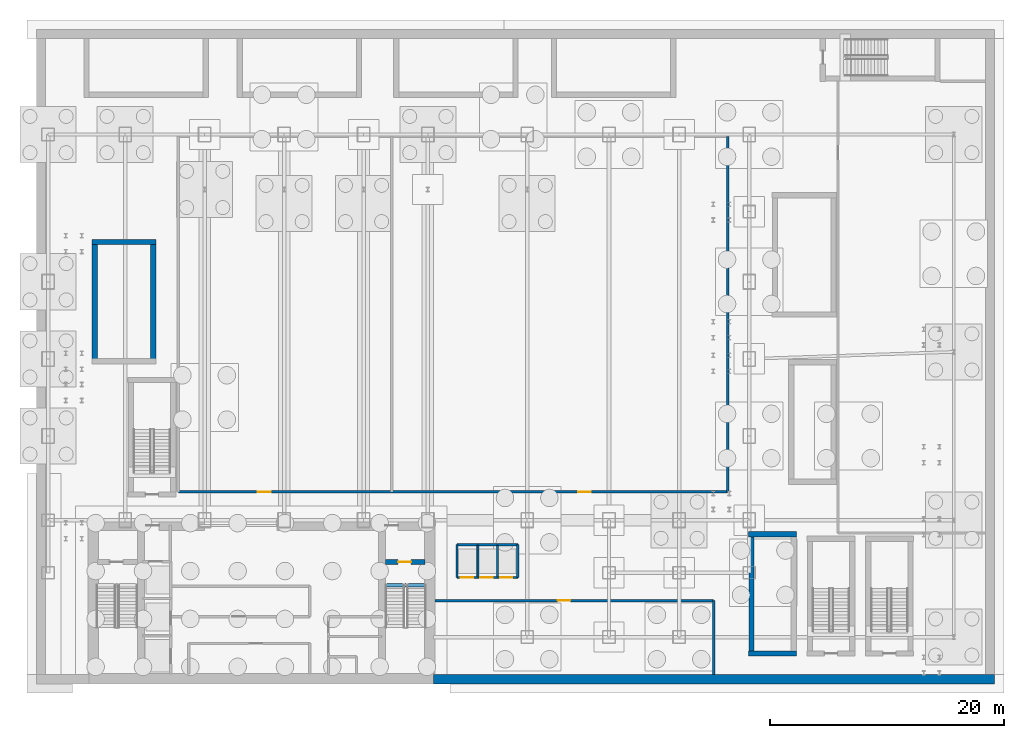
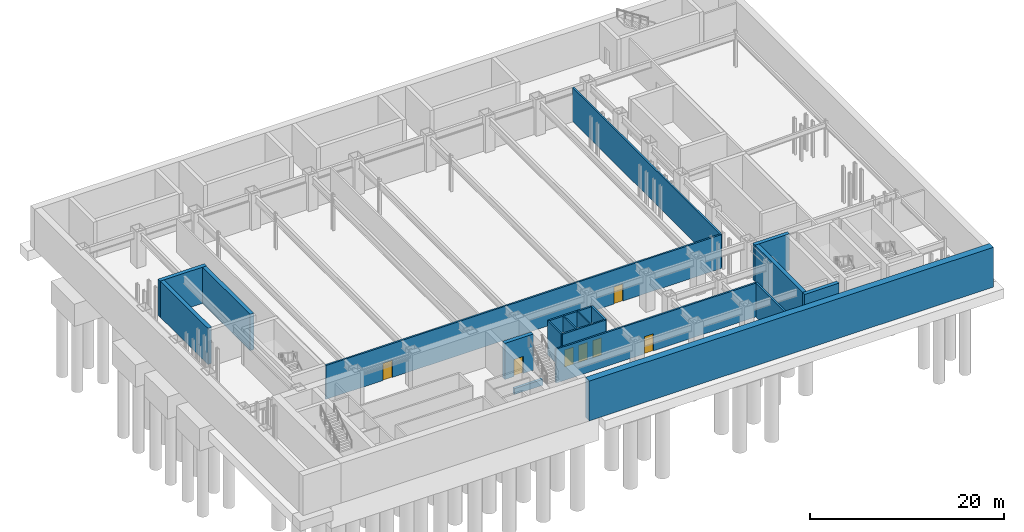
# One storey, part 11 of 17: 19 walls, 7 doors, 7 openings.
"""IFC4 building model written with IfcOpenShell, lengths in metres."""

from ifc_helpers import new_model, si_unit, derived_unit, direction, frame, frame_2d, origin, place, context, subcontext, project, spatial, rectangle, extrude, source, transform, mapped, material, layer, layer_set, type_object, element, fill, save


model = new_model("IFC4")

# Units and contexts
model_context = context("Model", 3, precision=1e-05, world=origin(), true_north=direction((0.0, 1.0)))
body_context = subcontext(model_context, "Body", "Model", "MODEL_VIEW")
ifc_project = project(units=[si_unit("LENGTHUNIT", "METRE"), si_unit("AREAUNIT", "SQUARE_METRE"), si_unit("VOLUMEUNIT", "CUBIC_METRE"), si_unit("PLANEANGLEUNIT", "RADIAN"), si_unit("MASSUNIT", "GRAM", prefix="KILO"), derived_unit("THERMALTRANSMITTANCEUNIT", [(si_unit("POWERUNIT", "WATT"), 1), (si_unit("LENGTHUNIT", "METRE"), -2), (si_unit("THERMODYNAMICTEMPERATUREUNIT", "KELVIN"), -1)])], contexts=[model_context])

# Site, building, storey
site_placement = place(None, origin())
site = spatial("IfcSite", under=ifc_project, at=site_placement, CompositionType="ELEMENT")
building_placement = place(site_placement, origin())
building = spatial("IfcBuilding", under=site, at=building_placement, Name="Skarnbrae Concourse Arena and Tower", CompositionType="ELEMENT")
storey_placement = place(building_placement, frame((0.0, 0.0, -10.0)))
storey = spatial("IfcBuildingStorey", under=building, at=storey_placement, Name="B02", CompositionType="ELEMENT", Elevation=-10.0)

# Wall
ifc_material_1 = material(Name="Concrete 50 MPa (C50/60)", Category="concrete")
ifc_layer_1 = layer(ifc_material_1, 0.800048828125)
ifc_layer_set_1 = layer_set([ifc_layer_1], Name="Concrete 50 MPa (C50/60)")
wall_type_1 = type_object("IfcWallType", Name="WALL-RETAINING-800", PredefinedType="USERDEFINED", material=ifc_layer_set_1)
shared_shape_1 = source(origin(), body_context, "Body", "SweptSolid", [
    extrude(rectangle(XDim=48.0, YDim=0.800048828125, at=frame_2d((24.0, 0.0))), origin(), (0.0, 0.0, 1.0), 5.0),
])
wall_1_placement = place(storey_placement, frame((34.0, 0.39990234375, 0.0), z_axis=(0.0, 0.0, 1.0), x_axis=(1.0, 0.0, 0.0)))
element("IfcWall", 1, at=wall_1_placement, inside=storey, type_object=wall_type_1, Name="B02 Basement retaining wall RW-SE", ObjectType="RETAINING WALL", PredefinedType="USERDEFINED", context=body_context, shape_type="MappedRepresentation", body=[
    mapped(shared_shape_1, transform((0.0, 0.0, 0.0))),
])

# Wall, opening, door
ifc_layer_2 = layer(ifc_material_1, 0.449951171875)
ifc_layer_set_2 = layer_set([ifc_layer_2], Name="Concrete 50 MPa (C50/60)")
wall_type_2 = type_object("IfcWallType", Name="WALL-CORE-450-C50", PredefinedType="SHEAR", material=ifc_layer_set_2)
shared_shape_2 = source(origin(), body_context, "Body", "SweptSolid", [
    extrude(rectangle(XDim=3.389892578125, YDim=0.449951171875, at=frame_2d((1.69482421875, 0.0))), origin(), (0.0, 0.0, 1.0), 4.550048828125),
])
wall_2_placement = place(storey_placement, frame((29.860107421875, 10.419921875, 0.449951171875), z_axis=(0.0, 0.0, 1.0), x_axis=(1.0, 0.0, 0.0)))
wall_2 = element("IfcWall", 2, at=wall_2_placement, inside=storey, type_object=wall_type_2, Name="B02 Rear core shear wall CW-ST2-N", PredefinedType="SHEAR", context=body_context, shape_type="MappedRepresentation", body=[
    mapped(shared_shape_2, transform((0.0, 0.0, 0.0))),
])
opening_1_placement = place(wall_2_placement, frame((1.10009765625, 0.0, 0.0)))
opening_1 = element("IfcOpeningElement", 3, at=opening_1_placement, cuts=wall_2, Name="Opening DT-03", PredefinedType="OPENING", context=body_context, shape_type="SweptSolid", body=[
    extrude(rectangle(XDim=1.10009765625, YDim=2.14990234375, at=frame_2d((0.550048828125, 1.074951171875))), frame((0.0, 0.23486328125, 0.0), z_axis=(0.0, -1.0, 0.0), x_axis=(1.0, 0.0, 0.0)), (0.0, 0.0, 1.0), 0.469970703125),
])
ifc_material_2 = material(Name="Steel CSA G40.21 350W", Category="steel")
door_type_1 = type_object("IfcDoorType", Name="DOOR-FIRE-1100-90M", OperationType="NOTDEFINED", PredefinedType="DOOR", material=ifc_material_2)
shared_shape_3 = source(origin(), body_context, "Body", "SweptSolid", [
    extrude(rectangle(XDim=1.10009765625, YDim=2.14990234375, at=frame_2d((0.550048828125, 1.074951171875))), frame((0.0, 0.02490234375, 0.0), z_axis=(0.0, -1.0, 0.0), x_axis=(1.0, 0.0, 0.0)), (0.0, 0.0, 1.0), 0.050048828125),
])
door_1_placement = place(opening_1_placement, frame((1.10009765625, 0.0, 0.0), z_axis=(0.0, 0.0, 1.0), x_axis=(-1.0, 0.0, 0.0)))
door_1 = element("IfcDoor", 4, at=door_1_placement, inside=storey, type_object=door_type_1, Name="D-0102 Stair ST-2 Door", OperationType="SINGLE_SWING_RIGHT", OverallHeight=2.14990234375, OverallWidth=1.10009765625, PredefinedType="DOOR", context=body_context, shape_type="MappedRepresentation", body=[
    mapped(shared_shape_3, transform((0.0, 0.0, 0.0))),
])
fill(opening_1, door_1)

# Walls
shared_shape_4 = source(origin(), body_context, "Body", "SweptSolid", [
    extrude(rectangle(XDim=3.400146484375, YDim=0.300048828125, at=frame_2d((1.7001953125, 0.0))), origin(), (0.0, 0.0, 1.0), 0.75),
])
wall_3_placement = place(storey_placement, frame((29.89990234375, 8.449951171875, -0.300048828125), z_axis=(0.0, 0.0, 1.0), x_axis=(1.0, 0.0, 0.0)))
element("IfcWall", 5, at=wall_3_placement, inside=storey, type_object=wall_type_2, Name="B02 Core stair ST-2 foundation sleeper step", PredefinedType="SHEAR", context=body_context, shape_type="MappedRepresentation", body=[
    mapped(shared_shape_4, transform((0.0, 0.0, 0.0))),
])
shared_shape_5 = source(origin(), body_context, "Body", "SweptSolid", [
    extrude(rectangle(XDim=4.10009765625, YDim=0.449951171875, at=frame_2d((2.050048828125, 0.0))), origin(), (0.0, 0.0, 1.0), 4.550048828125),
])
for number, where, z_axis, x_axis, name in (
    (6, (60.949951171875, 2.594970703125, 0.449951171875), (0.0, 0.0, 1.0), (1.0, 0.0, 0.0), "B02 Protected stair shaft wall ST-A1-S"),
    (7, (60.949951171875, 12.804931640625, 0.449951171875), (0.0, 0.0, 1.0), (1.0, 0.0, 0.0), "B02 Protected stair shaft wall ST-A1-N"),
):
    element("IfcWall", number, at=place(storey_placement, frame(where, z_axis=z_axis, x_axis=x_axis)), inside=storey, type_object=wall_type_2, Name=name, PredefinedType="SHEAR", context=body_context, shape_type="MappedRepresentation", body=[
        mapped(shared_shape_5, transform((0.0, 0.0, 0.0))),
    ])
shared_shape_6 = source(origin(), body_context, "Body", "SweptSolid", [
    extrude(rectangle(XDim=9.800048828125, YDim=0.449951171875, at=frame_2d((4.89990234375, 0.0))), origin(), (0.0, 0.0, 1.0), 4.550048828125),
])
for number, where, z_axis, x_axis, name in (
    (8, (61.195068359375, 2.800048828125, 0.449951171875), (0.0, 0.0, 1.0), (0.0, 1.0, 0.0), "B02 Protected stair shaft wall ST-A1-W"),
    (9, (4.9951171875, 27.800048828125, 0.449951171875), (0.0, 0.0, 1.0), (0.0, 1.0, 0.0), "B02 Protected stair shaft wall ST-A3-W"),
    (10, (10.0048828125, 27.800048828125, 0.449951171875), (0.0, 0.0, 1.0), (0.0, 1.0, 0.0), "B02 Protected stair shaft wall ST-A3-E"),
):
    element("IfcWall", number, at=place(storey_placement, frame(where, z_axis=z_axis, x_axis=x_axis)), inside=storey, type_object=wall_type_2, Name=name, PredefinedType="SHEAR", context=body_context, shape_type="MappedRepresentation", body=[
        mapped(shared_shape_6, transform((0.0, 0.0, 0.0))),
    ])
shared_shape_7 = source(origin(), body_context, "Body", "SweptSolid", [
    extrude(rectangle(XDim=5.5, YDim=0.449951171875, at=frame_2d((2.75, 0.0))), origin(), (0.0, 0.0, 1.0), 4.550048828125),
])
wall_4_placement = place(storey_placement, frame((4.75, 37.804931640625, 0.449951171875), z_axis=(0.0, 0.0, 1.0), x_axis=(1.0, 0.0, 0.0)))
element("IfcWall", 11, at=wall_4_placement, inside=storey, type_object=wall_type_2, Name="B02 Protected stair shaft wall ST-A3-N", PredefinedType="SHEAR", context=body_context, shape_type="MappedRepresentation", body=[
    mapped(shared_shape_7, transform((0.0, 0.0, 0.0))),
])

# Wall, openings, doors
ifc_material_3 = material(Name="Gypsum board on cold-formed steel studs", Category="steel")
ifc_layer_3 = layer(ifc_material_3, 0.199951171875)
ifc_layer_set_3 = layer_set([ifc_layer_3], Name="Gypsum board on cold-formed steel studs")
wall_type_3 = type_object("IfcWallType", Name="WALL-PART-200-2HR", PredefinedType="PARTITIONING", material=ifc_layer_set_3)
shared_shape_8 = source(origin(), body_context, "Body", "SweptSolid", [
    extrude(rectangle(XDim=5.199951171875, YDim=0.199951171875, at=frame_2d((2.60009765625, 0.0))), origin(), (0.0, 0.0, 1.0), 4.25),
])
wall_5_placement = place(storey_placement, frame((36.0, 9.10009765625, 0.449951171875), z_axis=(0.0, 0.0, 1.0), x_axis=(1.0, 0.0, 0.0)))
wall_5 = element("IfcWall", 12, at=wall_5_placement, inside=storey, type_object=wall_type_3, Name="B02 Interior partition wall W-B02-PLP-S", PredefinedType="PARTITIONING", context=body_context, shape_type="MappedRepresentation", body=[
    mapped(shared_shape_8, transform((0.0, 0.0, 0.0))),
])
opening_2_placement = place(wall_5_placement, frame((0.320068359375, 0.0, 0.0)))
opening_2 = element("IfcOpeningElement", 13, at=opening_2_placement, cuts=wall_5, Name="Opening LD-03", PredefinedType="OPENING", context=body_context, shape_type="SweptSolid", body=[
    extrude(rectangle(XDim=1.050048828125, YDim=2.14990234375, at=frame_2d((0.52490234375, 1.074951171875))), frame((0.0, 0.10986328125, 0.0), z_axis=(0.0, -1.0, 0.0), x_axis=(1.0, 0.0, 0.0)), (0.0, 0.0, 1.0), 0.219970703125),
])
opening_3_placement = place(wall_5_placement, frame((2.0, 0.0, 0.0)))
opening_3 = element("IfcOpeningElement", 14, at=opening_3_placement, cuts=wall_5, Name="Opening LD-03", PredefinedType="OPENING", context=body_context, shape_type="SweptSolid", body=[
    extrude(rectangle(XDim=1.050048828125, YDim=2.14990234375, at=frame_2d((0.52490234375, 1.074951171875))), frame((0.0, 0.10986328125, 0.0), z_axis=(0.0, -1.0, 0.0), x_axis=(1.0, 0.0, 0.0)), (0.0, 0.0, 1.0), 0.219970703125),
])
opening_4_placement = place(wall_5_placement, frame((3.679931640625, 0.0, 0.0)))
opening_4 = element("IfcOpeningElement", 15, at=opening_4_placement, cuts=wall_5, Name="Opening LD-03", PredefinedType="OPENING", context=body_context, shape_type="SweptSolid", body=[
    extrude(rectangle(XDim=1.050048828125, YDim=2.14990234375, at=frame_2d((0.52490234375, 1.074951171875))), frame((0.0, 0.10986328125, 0.0), z_axis=(0.0, -1.0, 0.0), x_axis=(1.0, 0.0, 0.0)), (0.0, 0.0, 1.0), 0.219970703125),
])
ifc_material_4 = material(Name="Bronze anodised aluminium 6063-T6", Category="aluminium")
door_type_2 = type_object("IfcDoorType", Name="DOOR-LIFT-SLIDE-1050", OperationType="SLIDING_TO_LEFT", PredefinedType="DOOR", material=ifc_material_4)
shared_shape_9 = source(origin(), body_context, "Body", "SweptSolid", [
    extrude(rectangle(XDim=1.050048828125, YDim=2.14990234375, at=frame_2d((0.52490234375, 1.074951171875))), frame((0.0, 0.02490234375, 0.0), z_axis=(0.0, -1.0, 0.0), x_axis=(1.0, 0.0, 0.0)), (0.0, 0.0, 1.0), 0.050048828125),
])
door_2_placement = place(opening_2_placement, frame((1.050048828125, 0.0, 0.0), z_axis=(0.0, 0.0, 1.0), x_axis=(-1.0, 0.0, 0.0)))
door_2 = element("IfcDoor", 16, at=door_2_placement, inside=storey, type_object=door_type_2, Name="D-0112 Transit Lift Landing Door PL-P1", OperationType="SLIDING_TO_LEFT", OverallHeight=2.14990234375, OverallWidth=1.050048828125, PredefinedType="DOOR", context=body_context, shape_type="MappedRepresentation", body=[
    mapped(shared_shape_9, transform((0.0, 0.0, 0.0))),
])
fill(opening_2, door_2)
door_3_placement = place(opening_3_placement, frame((1.050048828125, 0.0, 0.0), z_axis=(0.0, 0.0, 1.0), x_axis=(-1.0, 0.0, 0.0)))
door_3 = element("IfcDoor", 17, at=door_3_placement, inside=storey, type_object=door_type_2, Name="D-0113 Transit Lift Landing Door PL-P2", OperationType="SLIDING_TO_LEFT", OverallHeight=2.14990234375, OverallWidth=1.050048828125, PredefinedType="DOOR", context=body_context, shape_type="MappedRepresentation", body=[
    mapped(shared_shape_9, transform((0.0, 0.0, 0.0))),
])
fill(opening_3, door_3)
door_4_placement = place(opening_4_placement, frame((1.050048828125, 0.0, 0.0), z_axis=(0.0, 0.0, 1.0), x_axis=(-1.0, 0.0, 0.0)))
door_4 = element("IfcDoor", 18, at=door_4_placement, inside=storey, type_object=door_type_2, Name="D-0114 Transit Lift Landing Door PL-P3", OperationType="SLIDING_TO_LEFT", OverallHeight=2.14990234375, OverallWidth=1.050048828125, PredefinedType="DOOR", context=body_context, shape_type="MappedRepresentation", body=[
    mapped(shared_shape_9, transform((0.0, 0.0, 0.0))),
])
fill(opening_4, door_4)

# Walls
wall_6_placement = place(storey_placement, frame((36.0, 11.89990234375, 0.449951171875), z_axis=(0.0, 0.0, 1.0), x_axis=(1.0, 0.0, 0.0)))
element("IfcWall", 19, at=wall_6_placement, inside=storey, type_object=wall_type_3, Name="B02 Interior partition wall W-B02-PLP-N", PredefinedType="PARTITIONING", context=body_context, shape_type="MappedRepresentation", body=[
    mapped(shared_shape_8, transform((0.0, 0.0, 0.0))),
])
shared_shape_10 = source(origin(), body_context, "Body", "SweptSolid", [
    extrude(rectangle(XDim=2.7998046875, YDim=0.199951171875, at=frame_2d((1.39990234375, 0.0))), origin(), (0.0, 0.0, 1.0), 4.25),
])
for number, where, z_axis, x_axis, name in (
    (20, (36.0, 9.10009765625, 0.449951171875), (0.0, 0.0, 1.0), (0.0, 1.0, 0.0), "B02 Interior partition wall W-B02-PLP-W"),
    (21, (41.199951171875, 9.10009765625, 0.449951171875), (0.0, 0.0, 1.0), (0.0, 1.0, 0.0), "B02 Interior partition wall W-B02-PLP-E"),
):
    element("IfcWall", number, at=place(storey_placement, frame(where, z_axis=z_axis, x_axis=x_axis)), inside=storey, type_object=wall_type_3, Name=name, PredefinedType="PARTITIONING", context=body_context, shape_type="MappedRepresentation", body=[
        mapped(shared_shape_10, transform((0.0, 0.0, 0.0))),
    ])
ifc_layer_4 = layer(ifc_material_3, 0.14990234375)
ifc_layer_set_4 = layer_set([ifc_layer_4], Name="Gypsum board on cold-formed steel studs")
wall_type_4 = type_object("IfcWallType", Name="WALL-PART-150", PredefinedType="PARTITIONING", material=ifc_layer_set_4)
shared_shape_11 = source(origin(), body_context, "Body", "SweptSolid", [
    extrude(rectangle(XDim=2.7001953125, YDim=0.14990234375, at=frame_2d((1.35009765625, 0.0))), origin(), (0.0, 0.0, 1.0), 4.25),
])
for number, where, z_axis, x_axis, name in (
    (22, (37.780029296875, 9.14990234375, 0.449951171875), (0.0, 0.0, 1.0), (0.0, 1.0, 0.0), "B02 Interior partition wall W-B02-PLP-D1"),
    (23, (39.4599609375, 9.14990234375, 0.449951171875), (0.0, 0.0, 1.0), (0.0, 1.0, 0.0), "B02 Interior partition wall W-B02-PLP-D2"),
):
    element("IfcWall", number, at=place(storey_placement, frame(where, z_axis=z_axis, x_axis=x_axis)), inside=storey, type_object=wall_type_4, Name=name, PredefinedType="PARTITIONING", context=body_context, shape_type="MappedRepresentation", body=[
        mapped(shared_shape_11, transform((0.0, 0.0, 0.0))),
    ])

# Wall, openings, doors
shared_shape_12 = source(origin(), body_context, "Body", "SweptSolid", [
    extrude(rectangle(XDim=47.0, YDim=0.199951171875, at=frame_2d((23.5, 0.0))), origin(), (0.0, 0.0, 1.0), 4.25),
])
wall_7_placement = place(storey_placement, frame((12.14990234375, 16.419921875, 0.449951171875), z_axis=(0.0, 0.0, 1.0), x_axis=(1.0, 0.0, 0.0)))
wall_7 = element("IfcWall", 24, at=wall_7_placement, inside=storey, type_object=wall_type_3, Name="B02 Interior partition wall W-B02-BC-N", PredefinedType="PARTITIONING", context=body_context, shape_type="MappedRepresentation", body=[
    mapped(shared_shape_12, transform((0.0, 0.0, 0.0))),
])
opening_5_placement = place(wall_7_placement, frame((6.800048828125, 0.0, 0.0)))
opening_5 = element("IfcOpeningElement", 25, at=opening_5_placement, cuts=wall_7, Name="Opening DT-03", PredefinedType="OPENING", context=body_context, shape_type="SweptSolid", body=[
    extrude(rectangle(XDim=1.10009765625, YDim=2.14990234375, at=frame_2d((0.550048828125, 1.074951171875))), frame((0.0, 0.10986328125, 0.0), z_axis=(0.0, -1.0, 0.0), x_axis=(1.0, 0.0, 0.0)), (0.0, 0.0, 1.0), 0.219970703125),
])
opening_6_placement = place(wall_7_placement, frame((34.199951171875, 0.0, 0.0)))
opening_6 = element("IfcOpeningElement", 26, at=opening_6_placement, cuts=wall_7, Name="Opening DT-03", PredefinedType="OPENING", context=body_context, shape_type="SweptSolid", body=[
    extrude(rectangle(XDim=1.10009765625, YDim=2.14990234375, at=frame_2d((0.550048828125, 1.074951171875))), frame((0.0, 0.10986328125, 0.0), z_axis=(0.0, -1.0, 0.0), x_axis=(1.0, 0.0, 0.0)), (0.0, 0.0, 1.0), 0.219970703125),
])
door_5_placement = place(opening_5_placement, origin())
door_5 = element("IfcDoor", 27, at=door_5_placement, inside=storey, type_object=door_type_1, Name="D-0115 Basement Plant Door", OperationType="SINGLE_SWING_LEFT", OverallHeight=2.14990234375, OverallWidth=1.10009765625, PredefinedType="DOOR", context=body_context, shape_type="MappedRepresentation", body=[
    mapped(shared_shape_3, transform((0.0, 0.0, 0.0))),
])
fill(opening_5, door_5)
door_6_placement = place(opening_6_placement, origin())
door_6 = element("IfcDoor", 28, at=door_6_placement, inside=storey, type_object=door_type_1, Name="D-0116 Marshalling Hall Door", OperationType="SINGLE_SWING_RIGHT", OverallHeight=2.14990234375, OverallWidth=1.10009765625, PredefinedType="DOOR", context=body_context, shape_type="MappedRepresentation", body=[
    mapped(shared_shape_3, transform((0.0, 0.0, 0.0))),
])
fill(opening_6, door_6)

# Wall
shared_shape_13 = source(origin(), body_context, "Body", "SweptSolid", [
    extrude(rectangle(XDim=30.43017578125, YDim=0.199951171875, at=frame_2d((15.215087890625, 0.0))), origin(), (0.0, 0.0, 1.0), 4.25),
])
wall_8_placement = place(storey_placement, frame((59.14990234375, 16.419921875, 0.449951171875), z_axis=(0.0, 0.0, 1.0), x_axis=(0.0, 1.0, 0.0)))
element("IfcWall", 29, at=wall_8_placement, inside=storey, type_object=wall_type_3, Name="B02 Interior partition wall W-B02-BC-E", PredefinedType="PARTITIONING", context=body_context, shape_type="MappedRepresentation", body=[
    mapped(shared_shape_13, transform((0.0, 0.0, 0.0))),
])

# Wall, opening, door
shared_shape_14 = source(origin(), body_context, "Body", "SweptSolid", [
    extrude(rectangle(XDim=23.849853515625, YDim=0.199951171875, at=frame_2d((11.9248046875, 0.0))), origin(), (0.0, 0.0, 1.0), 4.25),
])
wall_9_placement = place(storey_placement, frame((34.10009765625, 7.1201171875, 0.449951171875), z_axis=(0.0, 0.0, 1.0), x_axis=(1.0, 0.0, 0.0)))
wall_9 = element("IfcWall", 30, at=wall_9_placement, inside=storey, type_object=wall_type_3, Name="B02 Interior partition wall W-B02-BBOH-N", PredefinedType="PARTITIONING", context=body_context, shape_type="MappedRepresentation", body=[
    mapped(shared_shape_14, transform((0.0, 0.0, 0.0))),
])
opening_7_placement = place(wall_9_placement, frame((10.5, 0.0, 0.0)))
opening_7 = element("IfcOpeningElement", 31, at=opening_7_placement, cuts=wall_9, Name="Opening DT-03", PredefinedType="OPENING", context=body_context, shape_type="SweptSolid", body=[
    extrude(rectangle(XDim=1.10009765625, YDim=2.14990234375, at=frame_2d((0.550048828125, 1.074951171875))), frame((0.0, 0.10986328125, 0.0), z_axis=(0.0, -1.0, 0.0), x_axis=(1.0, 0.0, 0.0)), (0.0, 0.0, 1.0), 0.219970703125),
])
door_7_placement = place(opening_7_placement, frame((1.10009765625, 0.0, 0.0), z_axis=(0.0, 0.0, 1.0), x_axis=(-1.0, 0.0, 0.0)))
door_7 = element("IfcDoor", 32, at=door_7_placement, inside=storey, type_object=door_type_1, Name="D-0117 BOH Support Door", OperationType="SINGLE_SWING_LEFT", OverallHeight=2.14990234375, OverallWidth=1.10009765625, PredefinedType="DOOR", context=body_context, shape_type="MappedRepresentation", body=[
    mapped(shared_shape_3, transform((0.0, 0.0, 0.0))),
])
fill(opening_7, door_7)

# Wall
shared_shape_15 = source(origin(), body_context, "Body", "SweptSolid", [
    extrude(rectangle(XDim=6.320068359375, YDim=0.199951171875, at=frame_2d((3.16015625, 0.0))), origin(), (0.0, 0.0, 1.0), 4.25),
])
wall_10_placement = place(storey_placement, frame((57.949951171875, 0.800048828125, 0.449951171875), z_axis=(0.0, 0.0, 1.0), x_axis=(0.0, 1.0, 0.0)))
element("IfcWall", 33, at=wall_10_placement, inside=storey, type_object=wall_type_3, Name="B02 Interior partition wall W-B02-BBOH-E", PredefinedType="PARTITIONING", context=body_context, shape_type="MappedRepresentation", body=[
    mapped(shared_shape_15, transform((0.0, 0.0, 0.0))),
])

save(model, "model.ifc")
